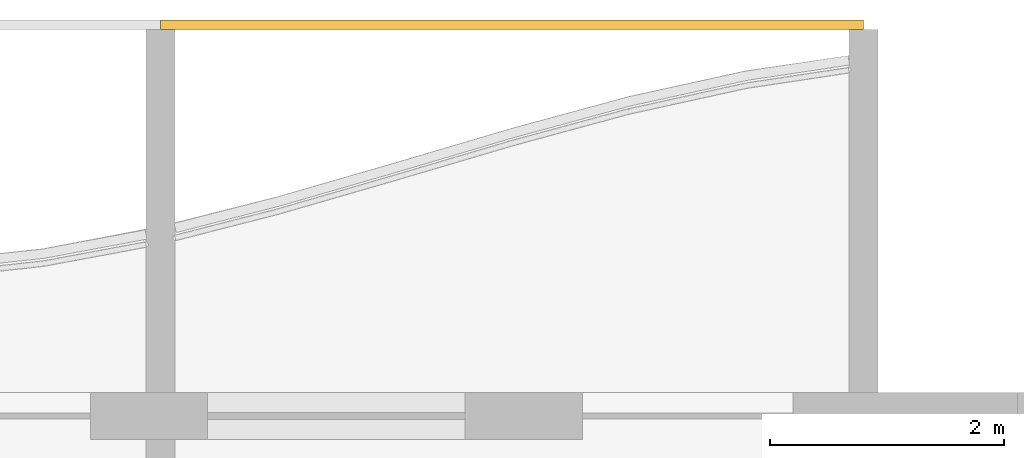
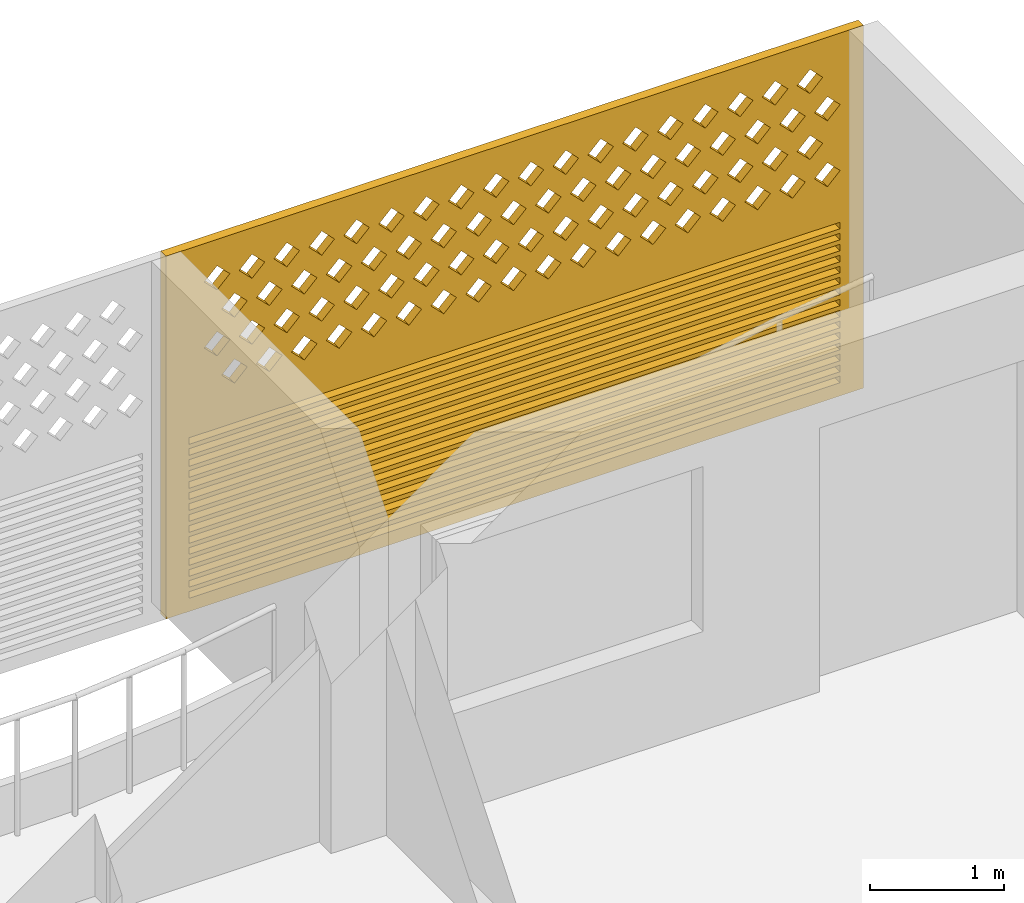
# One storey, part 26 of 26: 1 covering.
"""IFC4 building model written with IfcOpenShell, lengths in metres."""

from ifc_helpers import new_model, si_unit, direction, frame, origin, place, context, subcontext, project, spatial, polyline, outline, extrude, source, transform, mapped, material, material_profile, profile_set, type_object, element, save


model = new_model("IFC4")

# Units and contexts
model_context = context("Model", 3, precision=1e-05, world=origin(), true_north=direction((0.0, 1.0)))
body_context = subcontext(model_context, "Body", "Model", "MODEL_VIEW")
ifc_project = project(units=[si_unit("LENGTHUNIT", "METRE"), si_unit("AREAUNIT", "SQUARE_METRE"), si_unit("VOLUMEUNIT", "CUBIC_METRE"), si_unit("PLANEANGLEUNIT", "RADIAN"), si_unit("MASSUNIT", "GRAM", prefix="KILO")], contexts=[model_context])

# Site, building, storey
site_placement = place(None, origin())
site = spatial("IfcSite", under=ifc_project, at=site_placement, CompositionType="ELEMENT")
building_placement = place(site_placement, origin())
building = spatial("IfcBuilding", under=site, at=building_placement, Name="Poui Terraces", CompositionType="ELEMENT")
storey_placement = place(building_placement, frame((0.0, 0.0, 224.699951171875)))
storey = spatial("IfcBuildingStorey", under=building, at=storey_placement, Name="L62", CompositionType="ELEMENT", Elevation=224.699951171875)

# Covering
ifc_material = material(Name="Terracotta screen", Category="masonry")
ifc_material_profile = material_profile(ifc_material, outline(polyline([(-3.0, -1.64990234375), (3.0, -1.64990234375), (3.0, 1.64990234375), (-3.0, 1.64990234375), (-3.0, -1.64990234375)]), holes=[polyline([(-2.800048828125, 0.39990234375), (-2.68994140625, 0.2900390625), (-2.580078125, 0.39990234375), (-2.68994140625, 0.510009765625), (-2.800048828125, 0.39990234375)]), polyline([(-2.5, 0.39990234375), (-2.389892578125, 0.2900390625), (-2.280029296875, 0.39990234375), (-2.389892578125, 0.510009765625), (-2.5, 0.39990234375)]), polyline([(-2.199951171875, 0.39990234375), (-2.090087890625, 0.2900390625), (-1.97998046875, 0.39990234375), (-2.090087890625, 0.510009765625), (-2.199951171875, 0.39990234375)]), polyline([(-1.89990234375, 0.39990234375), (-1.7900390625, 0.2900390625), (-1.679931640625, 0.39990234375), (-1.7900390625, 0.510009765625), (-1.89990234375, 0.39990234375)]), polyline([(-1.60009765625, 0.39990234375), (-1.489990234375, 0.2900390625), (-1.3798828125, 0.39990234375), (-1.489990234375, 0.510009765625), (-1.60009765625, 0.39990234375)]), polyline([(-1.300048828125, 0.39990234375), (-1.18994140625, 0.2900390625), (-1.080078125, 0.39990234375), (-1.18994140625, 0.510009765625), (-1.300048828125, 0.39990234375)]), polyline([(-1.0, 0.39990234375), (-0.889892578125, 0.2900390625), (-0.780029296875, 0.39990234375), (-0.889892578125, 0.510009765625), (-1.0, 0.39990234375)]), polyline([(-0.699951171875, 0.39990234375), (-0.590087890625, 0.2900390625), (-0.47998046875, 0.39990234375), (-0.590087890625, 0.510009765625), (-0.699951171875, 0.39990234375)]), polyline([(-0.39990234375, 0.39990234375), (-0.2900390625, 0.2900390625), (-0.179931640625, 0.39990234375), (-0.2900390625, 0.510009765625), (-0.39990234375, 0.39990234375)]), polyline([(-0.10009765625, 0.39990234375), (0.010009765625, 0.2900390625), (0.1201171875, 0.39990234375), (0.010009765625, 0.510009765625), (-0.10009765625, 0.39990234375)]), polyline([(0.199951171875, 0.39990234375), (0.31005859375, 0.2900390625), (0.419921875, 0.39990234375), (0.31005859375, 0.510009765625), (0.199951171875, 0.39990234375)]), polyline([(0.5, 0.39990234375), (0.610107421875, 0.2900390625), (0.719970703125, 0.39990234375), (0.610107421875, 0.510009765625), (0.5, 0.39990234375)]), polyline([(0.800048828125, 0.39990234375), (0.909912109375, 0.2900390625), (1.02001953125, 0.39990234375), (0.909912109375, 0.510009765625), (0.800048828125, 0.39990234375)]), polyline([(1.10009765625, 0.39990234375), (1.2099609375, 0.2900390625), (1.320068359375, 0.39990234375), (1.2099609375, 0.510009765625), (1.10009765625, 0.39990234375)]), polyline([(1.39990234375, 0.39990234375), (1.510009765625, 0.2900390625), (1.6201171875, 0.39990234375), (1.510009765625, 0.510009765625), (1.39990234375, 0.39990234375)]), polyline([(1.699951171875, 0.39990234375), (1.81005859375, 0.2900390625), (1.919921875, 0.39990234375), (1.81005859375, 0.510009765625), (1.699951171875, 0.39990234375)]), polyline([(2.0, 0.39990234375), (2.110107421875, 0.2900390625), (2.219970703125, 0.39990234375), (2.110107421875, 0.510009765625), (2.0, 0.39990234375)]), polyline([(2.300048828125, 0.39990234375), (2.409912109375, 0.2900390625), (2.52001953125, 0.39990234375), (2.409912109375, 0.510009765625), (2.300048828125, 0.39990234375)]), polyline([(-2.64990234375, 0.699951171875), (-2.5400390625, 0.590087890625), (-2.429931640625, 0.699951171875), (-2.5400390625, 0.81005859375), (-2.64990234375, 0.699951171875)]), polyline([(-2.35009765625, 0.699951171875), (-2.239990234375, 0.590087890625), (-2.1298828125, 0.699951171875), (-2.239990234375, 0.81005859375), (-2.35009765625, 0.699951171875)]), polyline([(-2.050048828125, 0.699951171875), (-1.93994140625, 0.590087890625), (-1.830078125, 0.699951171875), (-1.93994140625, 0.81005859375), (-2.050048828125, 0.699951171875)]), polyline([(-1.75, 0.699951171875), (-1.639892578125, 0.590087890625), (-1.530029296875, 0.699951171875), (-1.639892578125, 0.81005859375), (-1.75, 0.699951171875)]), polyline([(-1.449951171875, 0.699951171875), (-1.340087890625, 0.590087890625), (-1.22998046875, 0.699951171875), (-1.340087890625, 0.81005859375), (-1.449951171875, 0.699951171875)]), polyline([(-1.14990234375, 0.699951171875), (-1.0400390625, 0.590087890625), (-0.929931640625, 0.699951171875), (-1.0400390625, 0.81005859375), (-1.14990234375, 0.699951171875)]), polyline([(-0.85009765625, 0.699951171875), (-0.739990234375, 0.590087890625), (-0.6298828125, 0.699951171875), (-0.739990234375, 0.81005859375), (-0.85009765625, 0.699951171875)]), polyline([(-0.550048828125, 0.699951171875), (-0.43994140625, 0.590087890625), (-0.330078125, 0.699951171875), (-0.43994140625, 0.81005859375), (-0.550048828125, 0.699951171875)]), polyline([(-0.25, 0.699951171875), (-0.139892578125, 0.590087890625), (-0.030029296875, 0.699951171875), (-0.139892578125, 0.81005859375), (-0.25, 0.699951171875)]), polyline([(0.050048828125, 0.699951171875), (0.159912109375, 0.590087890625), (0.27001953125, 0.699951171875), (0.159912109375, 0.81005859375), (0.050048828125, 0.699951171875)]), polyline([(0.35009765625, 0.699951171875), (0.4599609375, 0.590087890625), (0.570068359375, 0.699951171875), (0.4599609375, 0.81005859375), (0.35009765625, 0.699951171875)]), polyline([(0.64990234375, 0.699951171875), (0.760009765625, 0.590087890625), (0.8701171875, 0.699951171875), (0.760009765625, 0.81005859375), (0.64990234375, 0.699951171875)]), polyline([(0.949951171875, 0.699951171875), (1.06005859375, 0.590087890625), (1.169921875, 0.699951171875), (1.06005859375, 0.81005859375), (0.949951171875, 0.699951171875)]), polyline([(1.25, 0.699951171875), (1.360107421875, 0.590087890625), (1.469970703125, 0.699951171875), (1.360107421875, 0.81005859375), (1.25, 0.699951171875)]), polyline([(1.550048828125, 0.699951171875), (1.659912109375, 0.590087890625), (1.77001953125, 0.699951171875), (1.659912109375, 0.81005859375), (1.550048828125, 0.699951171875)]), polyline([(1.85009765625, 0.699951171875), (1.9599609375, 0.590087890625), (2.070068359375, 0.699951171875), (1.9599609375, 0.81005859375), (1.85009765625, 0.699951171875)]), polyline([(2.14990234375, 0.699951171875), (2.260009765625, 0.590087890625), (2.3701171875, 0.699951171875), (2.260009765625, 0.81005859375), (2.14990234375, 0.699951171875)]), polyline([(2.449951171875, 0.699951171875), (2.56005859375, 0.590087890625), (2.669921875, 0.699951171875), (2.56005859375, 0.81005859375), (2.449951171875, 0.699951171875)]), polyline([(-2.800048828125, 1.0), (-2.68994140625, 0.889892578125), (-2.580078125, 1.0), (-2.68994140625, 1.110107421875), (-2.800048828125, 1.0)]), polyline([(-2.5, 1.0), (-2.389892578125, 0.889892578125), (-2.280029296875, 1.0), (-2.389892578125, 1.110107421875), (-2.5, 1.0)]), polyline([(-2.199951171875, 1.0), (-2.090087890625, 0.889892578125), (-1.97998046875, 1.0), (-2.090087890625, 1.110107421875), (-2.199951171875, 1.0)]), polyline([(-1.89990234375, 1.0), (-1.7900390625, 0.889892578125), (-1.679931640625, 1.0), (-1.7900390625, 1.110107421875), (-1.89990234375, 1.0)]), polyline([(-1.60009765625, 1.0), (-1.489990234375, 0.889892578125), (-1.3798828125, 1.0), (-1.489990234375, 1.110107421875), (-1.60009765625, 1.0)]), polyline([(-1.300048828125, 1.0), (-1.18994140625, 0.889892578125), (-1.080078125, 1.0), (-1.18994140625, 1.110107421875), (-1.300048828125, 1.0)]), polyline([(-1.0, 1.0), (-0.889892578125, 0.889892578125), (-0.780029296875, 1.0), (-0.889892578125, 1.110107421875), (-1.0, 1.0)]), polyline([(-0.699951171875, 1.0), (-0.590087890625, 0.889892578125), (-0.47998046875, 1.0), (-0.590087890625, 1.110107421875), (-0.699951171875, 1.0)]), polyline([(-0.39990234375, 1.0), (-0.2900390625, 0.889892578125), (-0.179931640625, 1.0), (-0.2900390625, 1.110107421875), (-0.39990234375, 1.0)]), polyline([(-0.10009765625, 1.0), (0.010009765625, 0.889892578125), (0.1201171875, 1.0), (0.010009765625, 1.110107421875), (-0.10009765625, 1.0)]), polyline([(0.199951171875, 1.0), (0.31005859375, 0.889892578125), (0.419921875, 1.0), (0.31005859375, 1.110107421875), (0.199951171875, 1.0)]), polyline([(0.5, 1.0), (0.610107421875, 0.889892578125), (0.719970703125, 1.0), (0.610107421875, 1.110107421875), (0.5, 1.0)]), polyline([(0.800048828125, 1.0), (0.909912109375, 0.889892578125), (1.02001953125, 1.0), (0.909912109375, 1.110107421875), (0.800048828125, 1.0)]), polyline([(1.10009765625, 1.0), (1.2099609375, 0.889892578125), (1.320068359375, 1.0), (1.2099609375, 1.110107421875), (1.10009765625, 1.0)]), polyline([(1.39990234375, 1.0), (1.510009765625, 0.889892578125), (1.6201171875, 1.0), (1.510009765625, 1.110107421875), (1.39990234375, 1.0)]), polyline([(1.699951171875, 1.0), (1.81005859375, 0.889892578125), (1.919921875, 1.0), (1.81005859375, 1.110107421875), (1.699951171875, 1.0)]), polyline([(2.0, 1.0), (2.110107421875, 0.889892578125), (2.219970703125, 1.0), (2.110107421875, 1.110107421875), (2.0, 1.0)]), polyline([(2.300048828125, 1.0), (2.409912109375, 0.889892578125), (2.52001953125, 1.0), (2.409912109375, 1.110107421875), (2.300048828125, 1.0)]), polyline([(-2.64990234375, 1.300048828125), (-2.5400390625, 1.18994140625), (-2.429931640625, 1.300048828125), (-2.5400390625, 1.409912109375), (-2.64990234375, 1.300048828125)]), polyline([(-2.35009765625, 1.300048828125), (-2.239990234375, 1.18994140625), (-2.1298828125, 1.300048828125), (-2.239990234375, 1.409912109375), (-2.35009765625, 1.300048828125)]), polyline([(-2.050048828125, 1.300048828125), (-1.93994140625, 1.18994140625), (-1.830078125, 1.300048828125), (-1.93994140625, 1.409912109375), (-2.050048828125, 1.300048828125)]), polyline([(-1.75, 1.300048828125), (-1.639892578125, 1.18994140625), (-1.530029296875, 1.300048828125), (-1.639892578125, 1.409912109375), (-1.75, 1.300048828125)]), polyline([(-1.449951171875, 1.300048828125), (-1.340087890625, 1.18994140625), (-1.22998046875, 1.300048828125), (-1.340087890625, 1.409912109375), (-1.449951171875, 1.300048828125)]), polyline([(-1.14990234375, 1.300048828125), (-1.0400390625, 1.18994140625), (-0.929931640625, 1.300048828125), (-1.0400390625, 1.409912109375), (-1.14990234375, 1.300048828125)]), polyline([(-0.85009765625, 1.300048828125), (-0.739990234375, 1.18994140625), (-0.6298828125, 1.300048828125), (-0.739990234375, 1.409912109375), (-0.85009765625, 1.300048828125)]), polyline([(-0.550048828125, 1.300048828125), (-0.43994140625, 1.18994140625), (-0.330078125, 1.300048828125), (-0.43994140625, 1.409912109375), (-0.550048828125, 1.300048828125)]), polyline([(-0.25, 1.300048828125), (-0.139892578125, 1.18994140625), (-0.030029296875, 1.300048828125), (-0.139892578125, 1.409912109375), (-0.25, 1.300048828125)]), polyline([(0.050048828125, 1.300048828125), (0.159912109375, 1.18994140625), (0.27001953125, 1.300048828125), (0.159912109375, 1.409912109375), (0.050048828125, 1.300048828125)]), polyline([(0.35009765625, 1.300048828125), (0.4599609375, 1.18994140625), (0.570068359375, 1.300048828125), (0.4599609375, 1.409912109375), (0.35009765625, 1.300048828125)]), polyline([(0.64990234375, 1.300048828125), (0.760009765625, 1.18994140625), (0.8701171875, 1.300048828125), (0.760009765625, 1.409912109375), (0.64990234375, 1.300048828125)]), polyline([(0.949951171875, 1.300048828125), (1.06005859375, 1.18994140625), (1.169921875, 1.300048828125), (1.06005859375, 1.409912109375), (0.949951171875, 1.300048828125)]), polyline([(1.25, 1.300048828125), (1.360107421875, 1.18994140625), (1.469970703125, 1.300048828125), (1.360107421875, 1.409912109375), (1.25, 1.300048828125)]), polyline([(1.550048828125, 1.300048828125), (1.659912109375, 1.18994140625), (1.77001953125, 1.300048828125), (1.659912109375, 1.409912109375), (1.550048828125, 1.300048828125)]), polyline([(1.85009765625, 1.300048828125), (1.9599609375, 1.18994140625), (2.070068359375, 1.300048828125), (1.9599609375, 1.409912109375), (1.85009765625, 1.300048828125)]), polyline([(2.14990234375, 1.300048828125), (2.260009765625, 1.18994140625), (2.3701171875, 1.300048828125), (2.260009765625, 1.409912109375), (2.14990234375, 1.300048828125)]), polyline([(2.449951171875, 1.300048828125), (2.56005859375, 1.18994140625), (2.669921875, 1.300048828125), (2.56005859375, 1.409912109375), (2.449951171875, 1.300048828125)]), polyline([(-2.800048828125, -1.530029296875), (2.800048828125, -1.530029296875), (2.800048828125, -1.469970703125), (-2.800048828125, -1.469970703125), (-2.800048828125, -1.530029296875)]), polyline([(-2.800048828125, -1.429931640625), (2.800048828125, -1.429931640625), (2.800048828125, -1.3701171875), (-2.800048828125, -1.3701171875), (-2.800048828125, -1.429931640625)]), polyline([(-2.800048828125, -1.330078125), (2.800048828125, -1.330078125), (2.800048828125, -1.27001953125), (-2.800048828125, -1.27001953125), (-2.800048828125, -1.330078125)]), polyline([(-2.800048828125, -1.22998046875), (2.800048828125, -1.22998046875), (2.800048828125, -1.169921875), (-2.800048828125, -1.169921875), (-2.800048828125, -1.22998046875)]), polyline([(-2.800048828125, -1.1298828125), (2.800048828125, -1.1298828125), (2.800048828125, -1.070068359375), (-2.800048828125, -1.070068359375), (-2.800048828125, -1.1298828125)]), polyline([(-2.800048828125, -1.030029296875), (2.800048828125, -1.030029296875), (2.800048828125, -0.969970703125), (-2.800048828125, -0.969970703125), (-2.800048828125, -1.030029296875)]), polyline([(-2.800048828125, -0.929931640625), (2.800048828125, -0.929931640625), (2.800048828125, -0.8701171875), (-2.800048828125, -0.8701171875), (-2.800048828125, -0.929931640625)]), polyline([(-2.800048828125, -0.830078125), (2.800048828125, -0.830078125), (2.800048828125, -0.77001953125), (-2.800048828125, -0.77001953125), (-2.800048828125, -0.830078125)]), polyline([(-2.800048828125, -0.72998046875), (2.800048828125, -0.72998046875), (2.800048828125, -0.669921875), (-2.800048828125, -0.669921875), (-2.800048828125, -0.72998046875)]), polyline([(-2.800048828125, -0.6298828125), (2.800048828125, -0.6298828125), (2.800048828125, -0.570068359375), (-2.800048828125, -0.570068359375), (-2.800048828125, -0.6298828125)]), polyline([(-2.800048828125, -0.530029296875), (2.800048828125, -0.530029296875), (2.800048828125, -0.469970703125), (-2.800048828125, -0.469970703125), (-2.800048828125, -0.530029296875)]), polyline([(-2.800048828125, -0.429931640625), (2.800048828125, -0.429931640625), (2.800048828125, -0.3701171875), (-2.800048828125, -0.3701171875), (-2.800048828125, -0.429931640625)]), polyline([(-2.800048828125, -0.330078125), (2.800048828125, -0.330078125), (2.800048828125, -0.27001953125), (-2.800048828125, -0.27001953125), (-2.800048828125, -0.330078125)]), polyline([(-2.800048828125, -0.22998046875), (2.800048828125, -0.22998046875), (2.800048828125, -0.169921875), (-2.800048828125, -0.169921875), (-2.800048828125, -0.22998046875)]), polyline([(-2.800048828125, -0.1298828125), (2.800048828125, -0.1298828125), (2.800048828125, -0.070068359375), (-2.800048828125, -0.070068359375), (-2.800048828125, -0.1298828125)])]), Name="TERRACOTTA SCREEN AND JALOUSIE LOUVRE 6000X3300")
ifc_profile_set = profile_set([ifc_material_profile], Name="Terracotta screen")
covering_type = type_object("IfcCoveringType", Name="TERRACOTTA SCREEN AND JALOUSIE LOUVRE 6000X3300", PredefinedType="CLADDING", material=ifc_profile_set)
shared_shape = source(origin(), body_context, "Body", "SweptSolid", [
    extrude(outline(polyline([(-3.0, -1.64990234375), (3.0, -1.64990234375), (3.0, 1.64990234375), (-3.0, 1.64990234375), (-3.0, -1.64990234375)]), holes=[polyline([(-2.800048828125, 0.39990234375), (-2.68994140625, 0.2900390625), (-2.580078125, 0.39990234375), (-2.68994140625, 0.510009765625), (-2.800048828125, 0.39990234375)]), polyline([(-2.5, 0.39990234375), (-2.389892578125, 0.2900390625), (-2.280029296875, 0.39990234375), (-2.389892578125, 0.510009765625), (-2.5, 0.39990234375)]), polyline([(-2.199951171875, 0.39990234375), (-2.090087890625, 0.2900390625), (-1.97998046875, 0.39990234375), (-2.090087890625, 0.510009765625), (-2.199951171875, 0.39990234375)]), polyline([(-1.89990234375, 0.39990234375), (-1.7900390625, 0.2900390625), (-1.679931640625, 0.39990234375), (-1.7900390625, 0.510009765625), (-1.89990234375, 0.39990234375)]), polyline([(-1.60009765625, 0.39990234375), (-1.489990234375, 0.2900390625), (-1.3798828125, 0.39990234375), (-1.489990234375, 0.510009765625), (-1.60009765625, 0.39990234375)]), polyline([(-1.300048828125, 0.39990234375), (-1.18994140625, 0.2900390625), (-1.080078125, 0.39990234375), (-1.18994140625, 0.510009765625), (-1.300048828125, 0.39990234375)]), polyline([(-1.0, 0.39990234375), (-0.889892578125, 0.2900390625), (-0.780029296875, 0.39990234375), (-0.889892578125, 0.510009765625), (-1.0, 0.39990234375)]), polyline([(-0.699951171875, 0.39990234375), (-0.590087890625, 0.2900390625), (-0.47998046875, 0.39990234375), (-0.590087890625, 0.510009765625), (-0.699951171875, 0.39990234375)]), polyline([(-0.39990234375, 0.39990234375), (-0.2900390625, 0.2900390625), (-0.179931640625, 0.39990234375), (-0.2900390625, 0.510009765625), (-0.39990234375, 0.39990234375)]), polyline([(-0.10009765625, 0.39990234375), (0.010009765625, 0.2900390625), (0.1201171875, 0.39990234375), (0.010009765625, 0.510009765625), (-0.10009765625, 0.39990234375)]), polyline([(0.199951171875, 0.39990234375), (0.31005859375, 0.2900390625), (0.419921875, 0.39990234375), (0.31005859375, 0.510009765625), (0.199951171875, 0.39990234375)]), polyline([(0.5, 0.39990234375), (0.610107421875, 0.2900390625), (0.719970703125, 0.39990234375), (0.610107421875, 0.510009765625), (0.5, 0.39990234375)]), polyline([(0.800048828125, 0.39990234375), (0.909912109375, 0.2900390625), (1.02001953125, 0.39990234375), (0.909912109375, 0.510009765625), (0.800048828125, 0.39990234375)]), polyline([(1.10009765625, 0.39990234375), (1.2099609375, 0.2900390625), (1.320068359375, 0.39990234375), (1.2099609375, 0.510009765625), (1.10009765625, 0.39990234375)]), polyline([(1.39990234375, 0.39990234375), (1.510009765625, 0.2900390625), (1.6201171875, 0.39990234375), (1.510009765625, 0.510009765625), (1.39990234375, 0.39990234375)]), polyline([(1.699951171875, 0.39990234375), (1.81005859375, 0.2900390625), (1.919921875, 0.39990234375), (1.81005859375, 0.510009765625), (1.699951171875, 0.39990234375)]), polyline([(2.0, 0.39990234375), (2.110107421875, 0.2900390625), (2.219970703125, 0.39990234375), (2.110107421875, 0.510009765625), (2.0, 0.39990234375)]), polyline([(2.300048828125, 0.39990234375), (2.409912109375, 0.2900390625), (2.52001953125, 0.39990234375), (2.409912109375, 0.510009765625), (2.300048828125, 0.39990234375)]), polyline([(-2.64990234375, 0.699951171875), (-2.5400390625, 0.590087890625), (-2.429931640625, 0.699951171875), (-2.5400390625, 0.81005859375), (-2.64990234375, 0.699951171875)]), polyline([(-2.35009765625, 0.699951171875), (-2.239990234375, 0.590087890625), (-2.1298828125, 0.699951171875), (-2.239990234375, 0.81005859375), (-2.35009765625, 0.699951171875)]), polyline([(-2.050048828125, 0.699951171875), (-1.93994140625, 0.590087890625), (-1.830078125, 0.699951171875), (-1.93994140625, 0.81005859375), (-2.050048828125, 0.699951171875)]), polyline([(-1.75, 0.699951171875), (-1.639892578125, 0.590087890625), (-1.530029296875, 0.699951171875), (-1.639892578125, 0.81005859375), (-1.75, 0.699951171875)]), polyline([(-1.449951171875, 0.699951171875), (-1.340087890625, 0.590087890625), (-1.22998046875, 0.699951171875), (-1.340087890625, 0.81005859375), (-1.449951171875, 0.699951171875)]), polyline([(-1.14990234375, 0.699951171875), (-1.0400390625, 0.590087890625), (-0.929931640625, 0.699951171875), (-1.0400390625, 0.81005859375), (-1.14990234375, 0.699951171875)]), polyline([(-0.85009765625, 0.699951171875), (-0.739990234375, 0.590087890625), (-0.6298828125, 0.699951171875), (-0.739990234375, 0.81005859375), (-0.85009765625, 0.699951171875)]), polyline([(-0.550048828125, 0.699951171875), (-0.43994140625, 0.590087890625), (-0.330078125, 0.699951171875), (-0.43994140625, 0.81005859375), (-0.550048828125, 0.699951171875)]), polyline([(-0.25, 0.699951171875), (-0.139892578125, 0.590087890625), (-0.030029296875, 0.699951171875), (-0.139892578125, 0.81005859375), (-0.25, 0.699951171875)]), polyline([(0.050048828125, 0.699951171875), (0.159912109375, 0.590087890625), (0.27001953125, 0.699951171875), (0.159912109375, 0.81005859375), (0.050048828125, 0.699951171875)]), polyline([(0.35009765625, 0.699951171875), (0.4599609375, 0.590087890625), (0.570068359375, 0.699951171875), (0.4599609375, 0.81005859375), (0.35009765625, 0.699951171875)]), polyline([(0.64990234375, 0.699951171875), (0.760009765625, 0.590087890625), (0.8701171875, 0.699951171875), (0.760009765625, 0.81005859375), (0.64990234375, 0.699951171875)]), polyline([(0.949951171875, 0.699951171875), (1.06005859375, 0.590087890625), (1.169921875, 0.699951171875), (1.06005859375, 0.81005859375), (0.949951171875, 0.699951171875)]), polyline([(1.25, 0.699951171875), (1.360107421875, 0.590087890625), (1.469970703125, 0.699951171875), (1.360107421875, 0.81005859375), (1.25, 0.699951171875)]), polyline([(1.550048828125, 0.699951171875), (1.659912109375, 0.590087890625), (1.77001953125, 0.699951171875), (1.659912109375, 0.81005859375), (1.550048828125, 0.699951171875)]), polyline([(1.85009765625, 0.699951171875), (1.9599609375, 0.590087890625), (2.070068359375, 0.699951171875), (1.9599609375, 0.81005859375), (1.85009765625, 0.699951171875)]), polyline([(2.14990234375, 0.699951171875), (2.260009765625, 0.590087890625), (2.3701171875, 0.699951171875), (2.260009765625, 0.81005859375), (2.14990234375, 0.699951171875)]), polyline([(2.449951171875, 0.699951171875), (2.56005859375, 0.590087890625), (2.669921875, 0.699951171875), (2.56005859375, 0.81005859375), (2.449951171875, 0.699951171875)]), polyline([(-2.800048828125, 1.0), (-2.68994140625, 0.889892578125), (-2.580078125, 1.0), (-2.68994140625, 1.110107421875), (-2.800048828125, 1.0)]), polyline([(-2.5, 1.0), (-2.389892578125, 0.889892578125), (-2.280029296875, 1.0), (-2.389892578125, 1.110107421875), (-2.5, 1.0)]), polyline([(-2.199951171875, 1.0), (-2.090087890625, 0.889892578125), (-1.97998046875, 1.0), (-2.090087890625, 1.110107421875), (-2.199951171875, 1.0)]), polyline([(-1.89990234375, 1.0), (-1.7900390625, 0.889892578125), (-1.679931640625, 1.0), (-1.7900390625, 1.110107421875), (-1.89990234375, 1.0)]), polyline([(-1.60009765625, 1.0), (-1.489990234375, 0.889892578125), (-1.3798828125, 1.0), (-1.489990234375, 1.110107421875), (-1.60009765625, 1.0)]), polyline([(-1.300048828125, 1.0), (-1.18994140625, 0.889892578125), (-1.080078125, 1.0), (-1.18994140625, 1.110107421875), (-1.300048828125, 1.0)]), polyline([(-1.0, 1.0), (-0.889892578125, 0.889892578125), (-0.780029296875, 1.0), (-0.889892578125, 1.110107421875), (-1.0, 1.0)]), polyline([(-0.699951171875, 1.0), (-0.590087890625, 0.889892578125), (-0.47998046875, 1.0), (-0.590087890625, 1.110107421875), (-0.699951171875, 1.0)]), polyline([(-0.39990234375, 1.0), (-0.2900390625, 0.889892578125), (-0.179931640625, 1.0), (-0.2900390625, 1.110107421875), (-0.39990234375, 1.0)]), polyline([(-0.10009765625, 1.0), (0.010009765625, 0.889892578125), (0.1201171875, 1.0), (0.010009765625, 1.110107421875), (-0.10009765625, 1.0)]), polyline([(0.199951171875, 1.0), (0.31005859375, 0.889892578125), (0.419921875, 1.0), (0.31005859375, 1.110107421875), (0.199951171875, 1.0)]), polyline([(0.5, 1.0), (0.610107421875, 0.889892578125), (0.719970703125, 1.0), (0.610107421875, 1.110107421875), (0.5, 1.0)]), polyline([(0.800048828125, 1.0), (0.909912109375, 0.889892578125), (1.02001953125, 1.0), (0.909912109375, 1.110107421875), (0.800048828125, 1.0)]), polyline([(1.10009765625, 1.0), (1.2099609375, 0.889892578125), (1.320068359375, 1.0), (1.2099609375, 1.110107421875), (1.10009765625, 1.0)]), polyline([(1.39990234375, 1.0), (1.510009765625, 0.889892578125), (1.6201171875, 1.0), (1.510009765625, 1.110107421875), (1.39990234375, 1.0)]), polyline([(1.699951171875, 1.0), (1.81005859375, 0.889892578125), (1.919921875, 1.0), (1.81005859375, 1.110107421875), (1.699951171875, 1.0)]), polyline([(2.0, 1.0), (2.110107421875, 0.889892578125), (2.219970703125, 1.0), (2.110107421875, 1.110107421875), (2.0, 1.0)]), polyline([(2.300048828125, 1.0), (2.409912109375, 0.889892578125), (2.52001953125, 1.0), (2.409912109375, 1.110107421875), (2.300048828125, 1.0)]), polyline([(-2.64990234375, 1.300048828125), (-2.5400390625, 1.18994140625), (-2.429931640625, 1.300048828125), (-2.5400390625, 1.409912109375), (-2.64990234375, 1.300048828125)]), polyline([(-2.35009765625, 1.300048828125), (-2.239990234375, 1.18994140625), (-2.1298828125, 1.300048828125), (-2.239990234375, 1.409912109375), (-2.35009765625, 1.300048828125)]), polyline([(-2.050048828125, 1.300048828125), (-1.93994140625, 1.18994140625), (-1.830078125, 1.300048828125), (-1.93994140625, 1.409912109375), (-2.050048828125, 1.300048828125)]), polyline([(-1.75, 1.300048828125), (-1.639892578125, 1.18994140625), (-1.530029296875, 1.300048828125), (-1.639892578125, 1.409912109375), (-1.75, 1.300048828125)]), polyline([(-1.449951171875, 1.300048828125), (-1.340087890625, 1.18994140625), (-1.22998046875, 1.300048828125), (-1.340087890625, 1.409912109375), (-1.449951171875, 1.300048828125)]), polyline([(-1.14990234375, 1.300048828125), (-1.0400390625, 1.18994140625), (-0.929931640625, 1.300048828125), (-1.0400390625, 1.409912109375), (-1.14990234375, 1.300048828125)]), polyline([(-0.85009765625, 1.300048828125), (-0.739990234375, 1.18994140625), (-0.6298828125, 1.300048828125), (-0.739990234375, 1.409912109375), (-0.85009765625, 1.300048828125)]), polyline([(-0.550048828125, 1.300048828125), (-0.43994140625, 1.18994140625), (-0.330078125, 1.300048828125), (-0.43994140625, 1.409912109375), (-0.550048828125, 1.300048828125)]), polyline([(-0.25, 1.300048828125), (-0.139892578125, 1.18994140625), (-0.030029296875, 1.300048828125), (-0.139892578125, 1.409912109375), (-0.25, 1.300048828125)]), polyline([(0.050048828125, 1.300048828125), (0.159912109375, 1.18994140625), (0.27001953125, 1.300048828125), (0.159912109375, 1.409912109375), (0.050048828125, 1.300048828125)]), polyline([(0.35009765625, 1.300048828125), (0.4599609375, 1.18994140625), (0.570068359375, 1.300048828125), (0.4599609375, 1.409912109375), (0.35009765625, 1.300048828125)]), polyline([(0.64990234375, 1.300048828125), (0.760009765625, 1.18994140625), (0.8701171875, 1.300048828125), (0.760009765625, 1.409912109375), (0.64990234375, 1.300048828125)]), polyline([(0.949951171875, 1.300048828125), (1.06005859375, 1.18994140625), (1.169921875, 1.300048828125), (1.06005859375, 1.409912109375), (0.949951171875, 1.300048828125)]), polyline([(1.25, 1.300048828125), (1.360107421875, 1.18994140625), (1.469970703125, 1.300048828125), (1.360107421875, 1.409912109375), (1.25, 1.300048828125)]), polyline([(1.550048828125, 1.300048828125), (1.659912109375, 1.18994140625), (1.77001953125, 1.300048828125), (1.659912109375, 1.409912109375), (1.550048828125, 1.300048828125)]), polyline([(1.85009765625, 1.300048828125), (1.9599609375, 1.18994140625), (2.070068359375, 1.300048828125), (1.9599609375, 1.409912109375), (1.85009765625, 1.300048828125)]), polyline([(2.14990234375, 1.300048828125), (2.260009765625, 1.18994140625), (2.3701171875, 1.300048828125), (2.260009765625, 1.409912109375), (2.14990234375, 1.300048828125)]), polyline([(2.449951171875, 1.300048828125), (2.56005859375, 1.18994140625), (2.669921875, 1.300048828125), (2.56005859375, 1.409912109375), (2.449951171875, 1.300048828125)]), polyline([(-2.800048828125, -1.530029296875), (2.800048828125, -1.530029296875), (2.800048828125, -1.469970703125), (-2.800048828125, -1.469970703125), (-2.800048828125, -1.530029296875)]), polyline([(-2.800048828125, -1.429931640625), (2.800048828125, -1.429931640625), (2.800048828125, -1.3701171875), (-2.800048828125, -1.3701171875), (-2.800048828125, -1.429931640625)]), polyline([(-2.800048828125, -1.330078125), (2.800048828125, -1.330078125), (2.800048828125, -1.27001953125), (-2.800048828125, -1.27001953125), (-2.800048828125, -1.330078125)]), polyline([(-2.800048828125, -1.22998046875), (2.800048828125, -1.22998046875), (2.800048828125, -1.169921875), (-2.800048828125, -1.169921875), (-2.800048828125, -1.22998046875)]), polyline([(-2.800048828125, -1.1298828125), (2.800048828125, -1.1298828125), (2.800048828125, -1.070068359375), (-2.800048828125, -1.070068359375), (-2.800048828125, -1.1298828125)]), polyline([(-2.800048828125, -1.030029296875), (2.800048828125, -1.030029296875), (2.800048828125, -0.969970703125), (-2.800048828125, -0.969970703125), (-2.800048828125, -1.030029296875)]), polyline([(-2.800048828125, -0.929931640625), (2.800048828125, -0.929931640625), (2.800048828125, -0.8701171875), (-2.800048828125, -0.8701171875), (-2.800048828125, -0.929931640625)]), polyline([(-2.800048828125, -0.830078125), (2.800048828125, -0.830078125), (2.800048828125, -0.77001953125), (-2.800048828125, -0.77001953125), (-2.800048828125, -0.830078125)]), polyline([(-2.800048828125, -0.72998046875), (2.800048828125, -0.72998046875), (2.800048828125, -0.669921875), (-2.800048828125, -0.669921875), (-2.800048828125, -0.72998046875)]), polyline([(-2.800048828125, -0.6298828125), (2.800048828125, -0.6298828125), (2.800048828125, -0.570068359375), (-2.800048828125, -0.570068359375), (-2.800048828125, -0.6298828125)]), polyline([(-2.800048828125, -0.530029296875), (2.800048828125, -0.530029296875), (2.800048828125, -0.469970703125), (-2.800048828125, -0.469970703125), (-2.800048828125, -0.530029296875)]), polyline([(-2.800048828125, -0.429931640625), (2.800048828125, -0.429931640625), (2.800048828125, -0.3701171875), (-2.800048828125, -0.3701171875), (-2.800048828125, -0.429931640625)]), polyline([(-2.800048828125, -0.330078125), (2.800048828125, -0.330078125), (2.800048828125, -0.27001953125), (-2.800048828125, -0.27001953125), (-2.800048828125, -0.330078125)]), polyline([(-2.800048828125, -0.22998046875), (2.800048828125, -0.22998046875), (2.800048828125, -0.169921875), (-2.800048828125, -0.169921875), (-2.800048828125, -0.22998046875)]), polyline([(-2.800048828125, -0.1298828125), (2.800048828125, -0.1298828125), (2.800048828125, -0.070068359375), (-2.800048828125, -0.070068359375), (-2.800048828125, -0.1298828125)])]), origin(), (0.0, 0.0, 1.0), 0.080078125),
])
covering_placement = place(storey_placement, frame((75.0, 44.5, 1.449951171875), z_axis=(0.0, 1.0, 0.0), x_axis=(-1.0, 0.0, 0.0)))
element("IfcCovering", 1, at=covering_placement, inside=storey, type_object=covering_type, Name="SOLAR SCREEN AND JALOUSIE LOUVRE", PredefinedType="CLADDING", context=body_context, shape_type="MappedRepresentation", body=[
    mapped(shared_shape, transform((0.0, 0.0, 0.0))),
])

save(model, "model.ifc")
